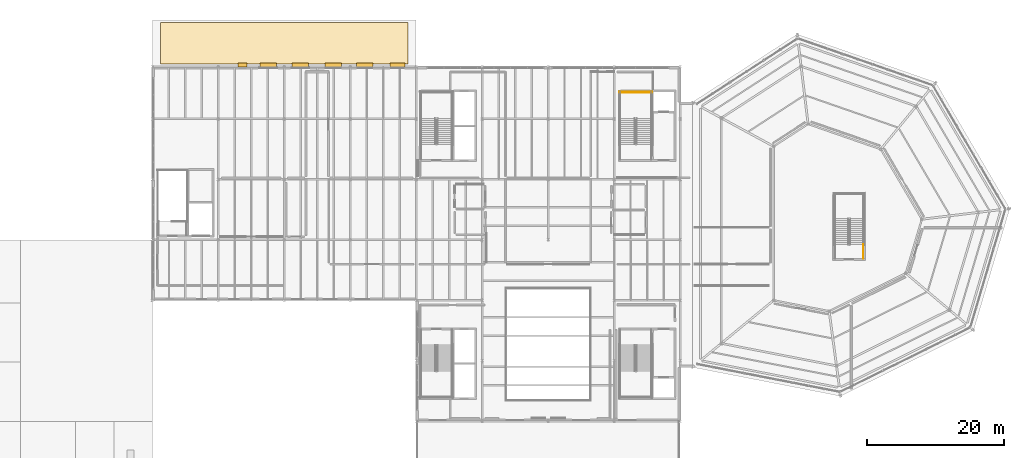
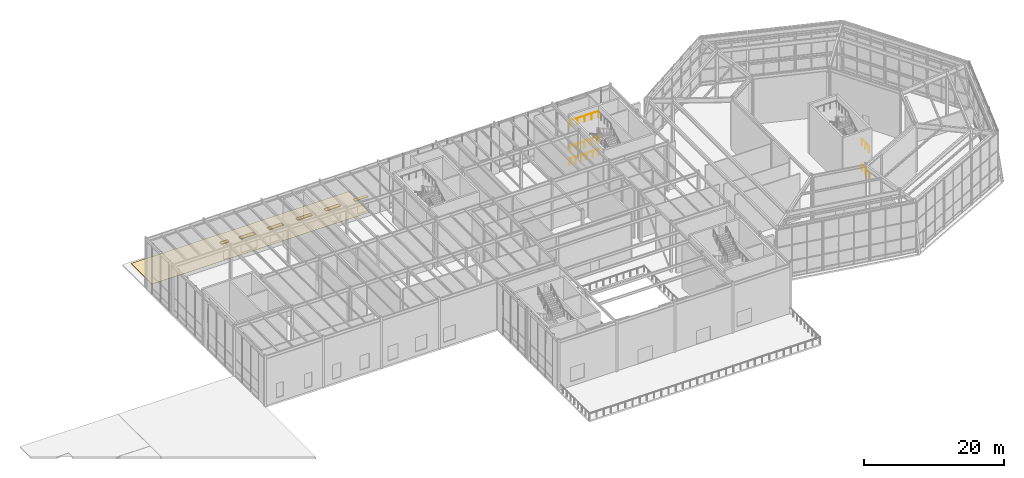
# One storey, part 47 of 48: 6 shading devices, 5 railings, 1 covering.
"""IFC4 building model written with IfcOpenShell, lengths in metres."""

from ifc_helpers import new_model, si_unit, direction, frame, origin, origin_2d, place, context, subcontext, project, spatial, rectangle, circle, extrude, material, layer, layer_set, type_object, element, save


model = new_model("IFC4")

# Units and contexts
model_context = context("Model", 3, precision=1e-05, world=origin(), true_north=direction((0.0, 1.0)))
body_context = subcontext(model_context, "Body", "Model", "MODEL_VIEW")
ifc_project = project(units=[si_unit("LENGTHUNIT", "METRE"), si_unit("AREAUNIT", "SQUARE_METRE"), si_unit("VOLUMEUNIT", "CUBIC_METRE"), si_unit("PLANEANGLEUNIT", "RADIAN"), si_unit("MASSUNIT", "GRAM", prefix="KILO")], contexts=[model_context])

# Site, building, storey
site_placement = place(None, origin())
site = spatial("IfcSite", under=ifc_project, at=site_placement, CompositionType="ELEMENT")
building_placement = place(site_placement, origin())
building = spatial("IfcBuilding", under=site, at=building_placement, Name="Sarnbrook Museum", CompositionType="ELEMENT")
storey_placement = place(building_placement, frame((0.0, 0.0, 19.10009765625)))
storey = spatial("IfcBuildingStorey", under=building, at=storey_placement, Name="L04", CompositionType="ELEMENT", Elevation=19.10009765625)

# Shading devices
ifc_material_1 = material(Name="Patinated Architectural Bronze")
shading_device_type = type_object("IfcShadingDeviceType", Name="BriseSoleil_Horizontal", PredefinedType="SHUTTER", material=ifc_material_1)
shading_device_1_placement = place(storey_placement, frame((78.074951171875, 108.669921875, 3.06494140625), z_axis=(0.0, 0.0, 1.0), x_axis=(1.0, 0.0, 0.0)))
element("IfcShadingDevice", 1, at=shading_device_1_placement, inside=storey, type_object=shading_device_type, Name="Horizontal Bronze Brise-Soleil BS-031", PredefinedType="SHUTTER", context=body_context, shape_type="SweptSolid", body=[
    extrude(rectangle(XDim=2.14990234375, YDim=0.550048828125, at=origin_2d()), origin(), (0.0, 0.0, 1.0), 0.090087890625),
])
for number, where, z_axis, x_axis, name in (
    (2, (73.340087890625, 108.669921875, 3.06494140625), (0.0, 0.0, 1.0), (1.0, 0.0, 0.0), "Horizontal Bronze Brise-Soleil BS-032"),
    (3, (68.699951171875, 108.669921875, 3.06494140625), (0.0, 0.0, 1.0), (1.0, 0.0, 0.0), "Horizontal Bronze Brise-Soleil BS-033"),
    (4, (63.93994140625, 108.669921875, 3.06494140625), (0.0, 0.0, 1.0), (1.0, 0.0, 0.0), "Horizontal Bronze Brise-Soleil BS-034"),
    (5, (59.27490234375, 108.669921875, 3.06494140625), (0.0, 0.0, 1.0), (1.0, 0.0, 0.0), "Horizontal Bronze Brise-Soleil BS-035"),
):
    element("IfcShadingDevice", number, at=place(storey_placement, frame(where, z_axis=z_axis, x_axis=x_axis)), inside=storey, type_object=shading_device_type, Name=name, PredefinedType="SHUTTER", context=body_context, shape_type="SweptSolid", body=[
        extrude(rectangle(XDim=2.39990234375, YDim=0.550048828125, at=origin_2d()), origin(), (0.0, 0.0, 1.0), 0.090087890625),
    ])
shading_device_2_placement = place(storey_placement, frame((55.52490234375, 108.669921875, 3.2646484375), z_axis=(0.0, 0.0, 1.0), x_axis=(1.0, 0.0, 0.0)))
element("IfcShadingDevice", 6, at=shading_device_2_placement, inside=storey, type_object=shading_device_type, Name="Horizontal Bronze Brise-Soleil BS-036", PredefinedType="SHUTTER", context=body_context, shape_type="SweptSolid", body=[
    extrude(rectangle(XDim=1.25, YDim=0.550048828125, at=origin_2d()), origin(), (0.0, 0.0, 1.0), 0.090087890625),
])

# Railings
ifc_material_2 = material(Name="Brushed Stainless Steel Grade 316", Category="steel")
ifc_layer_1 = layer(ifc_material_2, 0.050048828125)
ifc_layer_set_1 = layer_set([ifc_layer_1], Name="Brushed Stainless Steel Grade 316")
railing_type = type_object("IfcRailingType", Name="Guard_Int1120", PredefinedType="BALUSTRADE", material=ifc_layer_set_1)
for number, where, name in (
    (7, (115.06005859375, 104.64990234375, 2.25), "L04 ST2 stair guard 5"),
    (8, (115.06005859375, 104.64990234375, 6.75), "L04 ST2 stair guard 14"),
):
    element("IfcRailing", number, at=place(storey_placement, frame(where)), inside=storey, type_object=railing_type, Name=name, PredefinedType="BALUSTRADE", context=body_context, shape_type="SweptSolid", body=[
        extrude(circle(Radius=0.02392578125, at=origin_2d()), frame((0.0, 0.0, 1.09619140625), z_axis=(-1.0, 0.0, 0.0), x_axis=(0.0, -1.0, 0.0)), (0.0, 0.0, 1.0), 4.6201171875),
        extrude(circle(Radius=0.02099609375, at=origin_2d()), origin(), (0.0, 0.0, 1.0), 1.072021484375),
        extrude(circle(Radius=0.02099609375, at=origin_2d()), frame((-1.155029296875, 0.0, 0.0)), (0.0, 0.0, 1.0), 1.072021484375),
        extrude(circle(Radius=0.02099609375, at=origin_2d()), frame((-2.31005859375, 0.0, 0.0)), (0.0, 0.0, 1.0), 1.072021484375),
        extrude(circle(Radius=0.02099609375, at=origin_2d()), frame((-3.465087890625, 0.0, 0.0)), (0.0, 0.0, 1.0), 1.072021484375),
        extrude(circle(Radius=0.02099609375, at=origin_2d()), frame((-4.6201171875, 0.0, 0.0)), (0.0, 0.0, 1.0), 1.072021484375),
    ])
railing_placement = place(storey_placement, frame((115.159912109375, 104.75, 0.0)))
element("IfcRailing", 9, at=railing_placement, inside=storey, type_object=railing_type, Name="L04 ST2 stair guard 21", PredefinedType="BALUSTRADE", context=body_context, shape_type="SweptSolid", body=[
    extrude(circle(Radius=0.02392578125, at=origin_2d()), frame((0.0, 0.0, 1.09619140625), z_axis=(-1.0, 0.0, 0.0), x_axis=(0.0, -1.0, 0.0)), (0.0, 0.0, 1.0), 4.81982421875),
    extrude(circle(Radius=0.02099609375, at=origin_2d()), origin(), (0.0, 0.0, 1.0), 1.072021484375),
    extrude(circle(Radius=0.02099609375, at=origin_2d()), frame((-0.9638671875, 0.0, 0.0)), (0.0, 0.0, 1.0), 1.072021484375),
    extrude(circle(Radius=0.02099609375, at=origin_2d()), frame((-1.927978515625, 0.0, 0.0)), (0.0, 0.0, 1.0), 1.072021484375),
    extrude(circle(Radius=0.02099609375, at=origin_2d()), frame((-2.891845703125, 0.0, 0.0)), (0.0, 0.0, 1.0), 1.072021484375),
    extrude(circle(Radius=0.02099609375, at=origin_2d()), frame((-3.85595703125, 0.0, 0.0)), (0.0, 0.0, 1.0), 1.072021484375),
    extrude(circle(Radius=0.02099609375, at=origin_2d()), frame((-4.81982421875, 0.0, 0.0)), (0.0, 0.0, 1.0), 1.072021484375),
])
for number, where, name in (
    (10, (145.85009765625, 80.5, 4.5), "L04 ST7 stair guard 8"),
    (11, (145.85009765625, 80.5, 0.0), "L04 ST7 stair guard 17"),
):
    element("IfcRailing", number, at=place(storey_placement, frame(where)), inside=storey, type_object=railing_type, Name=name, PredefinedType="BALUSTRADE", context=body_context, shape_type="SweptSolid", body=[
        extrude(circle(Radius=0.02392578125, at=origin_2d()), frame((0.0, 0.0, 1.09619140625), z_axis=(0.0, 1.0, 0.0), x_axis=(-1.0, 0.0, 0.0)), (0.0, 0.0, 1.0), 2.02001953125),
        extrude(circle(Radius=0.02099609375, at=origin_2d()), origin(), (0.0, 0.0, 1.0), 1.072021484375),
        extrude(circle(Radius=0.02099609375, at=origin_2d()), frame((0.0, 1.010009765625, 0.0)), (0.0, 0.0, 1.0), 1.072021484375),
        extrude(circle(Radius=0.02099609375, at=origin_2d()), frame((0.0, 2.02001953125, 0.0)), (0.0, 0.0, 1.0), 1.072021484375),
    ])

# Covering
ifc_material_3 = material(Name="Standing-Seam Titanium Zinc Roofing")
ifc_layer_2 = layer(ifc_material_3, 0.034912109375)
ifc_layer_set_2 = layer_set([ifc_layer_2], Name="Standing-Seam Titanium Zinc Roofing")
covering_type = type_object("IfcCoveringType", Name="Roofing_StandingSeamZinc", PredefinedType="ROOFING", material=ifc_layer_set_2)
covering_placement = place(storey_placement, frame((61.60009765625, 111.800048828125, 0.0), z_axis=(0.0, 0.0, 1.0), x_axis=(1.0, 0.0, 0.0)))
element("IfcCovering", 12, at=covering_placement, inside=storey, type_object=covering_type, Name="Standing-Seam Zinc Roof Covering ZC-5", PredefinedType="ROOFING", context=body_context, shape_type="SweptSolid", body=[
    extrude(rectangle(XDim=36.0, YDim=6.0, at=origin_2d()), origin(), (0.0, 0.0, 1.0), 0.034912109375),
])

save(model, "model.ifc")
